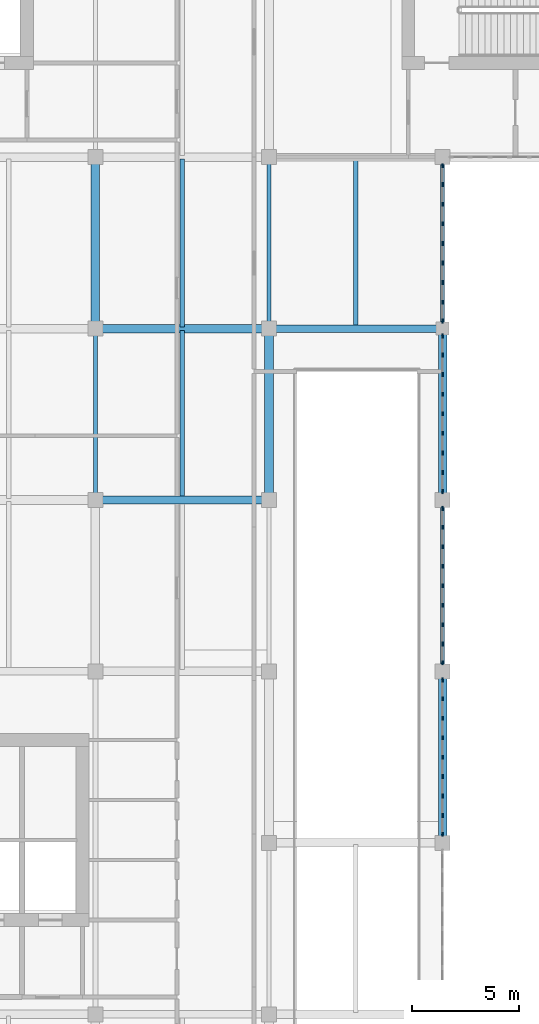
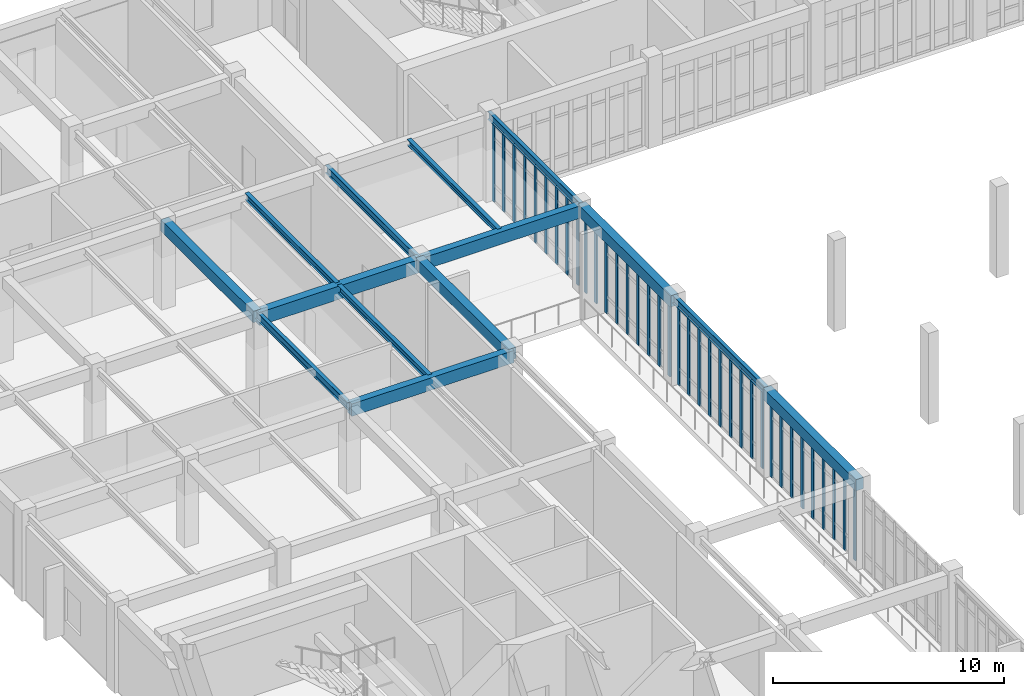
# One storey, part 12 of 61: 36 members, 14 beams, 4 elements without a shape of their own.
"""IFC4 building model written with IfcOpenShell, lengths in metres."""

from ifc_helpers import new_model, si_unit, direction, frame, origin, origin_2d, place, context, subcontext, project, spatial, rectangle, i_section, extrude, material, material_profile, profile_set, type_object, element, aggregate, save


model = new_model("IFC4")

# Units and contexts
model_context = context("Model", 3, precision=1e-05, world=origin(), true_north=direction((0.0, 1.0)))
body_context = subcontext(model_context, "Body", "Model", "MODEL_VIEW")
ifc_project = project(units=[si_unit("LENGTHUNIT", "METRE"), si_unit("AREAUNIT", "SQUARE_METRE"), si_unit("VOLUMEUNIT", "CUBIC_METRE"), si_unit("PLANEANGLEUNIT", "RADIAN"), si_unit("MASSUNIT", "GRAM", prefix="KILO")], contexts=[model_context])

# Site, building, storey
site_placement = place(None, origin())
site = spatial("IfcSite", under=ifc_project, at=site_placement, CompositionType="ELEMENT")
building_placement = place(site_placement, origin())
building = spatial("IfcBuilding", under=site, at=building_placement, Name="Tarnveldt Square Police Headquarters", CompositionType="ELEMENT")
storey_placement = place(building_placement, frame((0.0, 0.0, 5.39990234375)))
storey = spatial("IfcBuildingStorey", under=building, at=storey_placement, Name="L01", CompositionType="ELEMENT", Elevation=5.39990234375)

# Beams
ifc_material_1 = material(Name="Concrete 40 MPa", Category="concrete")
ifc_material_profile_1 = material_profile(ifc_material_1, rectangle(XDim=0.39990234375, YDim=0.60009765625, at=origin_2d()), Name="RC-B400x600")
ifc_profile_set_1 = profile_set([ifc_material_profile_1], Name="Concrete 40 MPa")
beam_type_1 = type_object("IfcBeamType", Name="BM-RC400x600", PredefinedType="BEAM", material=ifc_profile_set_1)
for number, where, z_axis, x_axis, name in (
    (1, (32.39990234375, 88.0, 4.22021484375), (0.0, 1.0, 0.0), (-1.0, 0.0, 0.0), "L02 Grid Girder Y-0601"),
    (2, (40.5, 80.0, 4.22021484375), (0.0, 1.0, 0.0), (-1.0, 0.0, 0.0), "L02 Grid Girder Y-0613"),
    (3, (48.60009765625, 64.0, 4.22021484375), (0.0, 1.0, 0.0), (-1.0, 0.0, 0.0), "L02 Grid Girder Y-0621"),
    (4, (48.60009765625, 80.0, 4.22021484375), (0.0, 1.0, 0.0), (-1.0, 0.0, 0.0), "L02 Grid Girder Y-0623"),
):
    element("IfcBeam", number, at=place(storey_placement, frame(where, z_axis=z_axis, x_axis=x_axis)), inside=storey, type_object=beam_type_1, Name=name, PredefinedType="BEAM", context=body_context, shape_type="SweptSolid", body=[
        extrude(rectangle(XDim=0.39990234375, YDim=0.60009765625, at=origin_2d()), origin(), (0.0, 0.0, 1.0), 8.0),
    ])
ifc_material_profile_2 = material_profile(ifc_material_1, rectangle(XDim=0.39990234375, YDim=0.699951171875, at=origin_2d()), Name="RC-B400x700")
ifc_profile_set_2 = profile_set([ifc_material_profile_2], Name="Concrete 40 MPa")
beam_type_2 = type_object("IfcBeamType", Name="BM-RC400x700", PredefinedType="BEAM", material=ifc_profile_set_2)
beam_1_placement = place(storey_placement, frame((32.39990234375, 88.0, 4.170166015625), z_axis=(1.0, 0.0, 0.0), x_axis=(0.0, 1.0, 0.0)))
element("IfcBeam", 5, at=beam_1_placement, inside=storey, type_object=beam_type_2, Name="L02 Grid Girder X-0531", PredefinedType="BEAM", context=body_context, shape_type="SweptSolid", body=[
    extrude(rectangle(XDim=0.39990234375, YDim=0.699951171875, at=origin_2d()), origin(), (0.0, 0.0, 1.0), 8.10009765625),
])
ifc_material_profile_3 = material_profile(ifc_material_1, rectangle(XDim=0.35009765625, YDim=0.64990234375, at=origin_2d()), Name="RC-SP350x650")
ifc_profile_set_3 = profile_set([ifc_material_profile_3], Name="Concrete 40 MPa")
beam_type_3 = type_object("IfcBeamType", Name="BM-SP350x650", PredefinedType="SPANDREL", material=ifc_profile_set_3)
for number, where, z_axis, x_axis, name in (
    (6, (32.39990234375, 80.0, 4.195068359375), (1.0, 0.0, 0.0), (0.0, 1.0, 0.0), "L02 Grid Girder X-0526"),
    (7, (40.5, 88.0, 4.195068359375), (1.0, 0.0, 0.0), (0.0, 1.0, 0.0), "L02 Grid Girder X-0532"),
):
    element("IfcBeam", number, at=place(storey_placement, frame(where, z_axis=z_axis, x_axis=x_axis)), inside=storey, type_object=beam_type_3, Name=name, PredefinedType="SPANDREL", context=body_context, shape_type="SweptSolid", body=[
        extrude(rectangle(XDim=0.35009765625, YDim=0.64990234375, at=origin_2d()), origin(), (0.0, 0.0, 1.0), 8.10009765625),
    ])
ifc_material_2 = material(Name="Steel 350W", Category="steel")
ifc_material_profile_4 = material_profile(ifc_material_2, i_section(OverallWidth=0.202880859375, OverallDepth=0.302978515625, WebThickness=0.007568359375, FlangeThickness=0.01318359375, FilletRadius=0.014892578125, at=origin_2d()), Name="W310x60")
ifc_profile_set_4 = profile_set([ifc_material_profile_4], Name="Steel 350W")
beam_type_4 = type_object("IfcBeamType", Name="BM-W310x60", PredefinedType="JOIST", material=ifc_profile_set_4)
beam_2_placement = place(storey_placement, frame((44.550048828125, 88.080078125, 4.36865234375), z_axis=(0.0, 1.0, 0.0), x_axis=(-1.0, 0.0, 0.0)))
element("IfcBeam", 8, at=beam_2_placement, inside=storey, type_object=beam_type_4, Name="L02 Secondary Floor Joist 0132", PredefinedType="JOIST", context=body_context, shape_type="SweptSolid", body=[
    extrude(i_section(OverallWidth=0.202880859375, OverallDepth=0.302978515625, WebThickness=0.007568359375, FlangeThickness=0.01318359375, FilletRadius=0.014892578125, at=origin_2d()), origin(), (0.0, 0.0, 1.0), 7.83984375),
])
ifc_material_profile_5 = material_profile(ifc_material_2, i_section(OverallWidth=0.202880859375, OverallDepth=0.346923828125, WebThickness=0.0078125, FlangeThickness=0.013427734375, FilletRadius=0.01611328125, at=origin_2d()), Name="W360x64")
ifc_profile_set_5 = profile_set([ifc_material_profile_5], Name="Steel 350W")
beam_type_5 = type_object("IfcBeamType", Name="BM-W360x64", PredefinedType="JOIST", material=ifc_profile_set_5)
for number, where, z_axis, x_axis, name in (
    (9, (36.449951171875, 80.080078125, 4.3466796875), (0.0, 1.0, 0.0), (-1.0, 0.0, 0.0), "L02 Secondary Floor Joist 0127"),
    (10, (36.449951171875, 88.080078125, 4.3466796875), (0.0, 1.0, 0.0), (-1.0, 0.0, 0.0), "L02 Secondary Floor Joist 0131"),
):
    element("IfcBeam", number, at=place(storey_placement, frame(where, z_axis=z_axis, x_axis=x_axis)), inside=storey, type_object=beam_type_5, Name=name, PredefinedType="JOIST", context=body_context, shape_type="SweptSolid", body=[
        extrude(i_section(OverallWidth=0.202880859375, OverallDepth=0.346923828125, WebThickness=0.0078125, FlangeThickness=0.013427734375, FilletRadius=0.01611328125, at=origin_2d()), origin(), (0.0, 0.0, 1.0), 7.83984375),
    ])
ifc_material_profile_6 = material_profile(ifc_material_2, i_section(OverallWidth=0.180908203125, OverallDepth=0.4169921875, WebThickness=0.010986328125, FlangeThickness=0.018310546875, FilletRadius=0.01611328125, at=origin_2d()), Name="W410x85")
ifc_profile_set_6 = profile_set([ifc_material_profile_6], Name="Steel 350W")
beam_type_6 = type_object("IfcBeamType", Name="BM-W410x85", PredefinedType="BEAM", material=ifc_profile_set_6)
for number, where, z_axis, x_axis, name in (
    (11, (32.39990234375, 80.0, 4.3115234375), (0.0, 1.0, 0.0), (-1.0, 0.0, 0.0), "L02 Grid Girder Y-0600"),
    (12, (40.5, 88.0, 4.3115234375), (0.0, 1.0, 0.0), (-1.0, 0.0, 0.0), "L02 Grid Girder Y-0614"),
    (13, (48.60009765625, 72.0, 4.3115234375), (0.0, 1.0, 0.0), (-1.0, 0.0, 0.0), "L02 Grid Girder Y-0622"),
    (14, (48.60009765625, 88.0, 4.3115234375), (0.0, 1.0, 0.0), (-1.0, 0.0, 0.0), "L02 Grid Girder Y-0624"),
):
    element("IfcBeam", number, at=place(storey_placement, frame(where, z_axis=z_axis, x_axis=x_axis)), inside=storey, type_object=beam_type_6, Name=name, PredefinedType="BEAM", context=body_context, shape_type="SweptSolid", body=[
        extrude(i_section(OverallWidth=0.180908203125, OverallDepth=0.4169921875, WebThickness=0.010986328125, FlangeThickness=0.018310546875, FilletRadius=0.01611328125, at=origin_2d()), origin(), (0.0, 0.0, 1.0), 8.0),
    ])

# Curtain wall, members
ifc_material_3 = material(Name="Triple-glazed low-e laminated vision glass", Category="glass")
curtain_wall_type_1 = type_object("IfcCurtainWallType", Name="CW-WG-727x391", PredefinedType="USERDEFINED", material=ifc_material_3)
curtain_wall_1_placement = place(storey_placement, origin())
curtain_wall_1 = element("IfcCurtainWall", 15, at=curtain_wall_1_placement, inside=storey, type_object=curtain_wall_type_1, Name="L01 Curtain Wall CW-L01-069", ObjectType="GLAZED CURTAIN WALL", PredefinedType="USERDEFINED")
ifc_material_4 = material(Name="Thermally broken anodised aluminium 6063-T6", Category="aluminium")
ifc_material_profile_7 = material_profile(ifc_material_4, rectangle(XDim=0.074951171875, YDim=0.199951171875, at=origin_2d()), Name="CW-M75x200")
ifc_profile_set_7 = profile_set([ifc_material_profile_7], Name="Thermally broken anodised aluminium 6063-T6")
member_type = type_object("IfcMemberType", Name="CWM-75x200", PredefinedType="MULLION", material=ifc_profile_set_7)
member_1_placement = place(storey_placement, frame((48.60009765625, 64.402587890625, 0.0), z_axis=(0.0, 0.0, 1.0), x_axis=(-1.0, 0.0, 0.0)))
member_1 = element("IfcMember", 16, at=member_1_placement, type_object=member_type, Name="CW-WG30 mullion 1", PredefinedType="MULLION", context=body_context, shape_type="SweptSolid", body=[
    extrude(rectangle(XDim=0.074951171875, YDim=0.199951171875, at=origin_2d()), origin(), (0.0, 0.0, 1.0), 3.912109375),
])
member_2_placement = place(storey_placement, frame((48.60009765625, 65.273681640625, 0.0), z_axis=(0.0, 0.0, 1.0), x_axis=(-1.0, 0.0, 0.0)))
member_2 = element("IfcMember", 17, at=member_2_placement, type_object=member_type, Name="CW-WG30 mullion 2", PredefinedType="MULLION", context=body_context, shape_type="SweptSolid", body=[
    extrude(rectangle(XDim=0.074951171875, YDim=0.199951171875, at=origin_2d()), origin(), (0.0, 0.0, 1.0), 3.912109375),
])
member_3_placement = place(storey_placement, frame((48.60009765625, 66.1826171875, 0.0), z_axis=(0.0, 0.0, 1.0), x_axis=(-1.0, 0.0, 0.0)))
member_3 = element("IfcMember", 18, at=member_3_placement, type_object=member_type, Name="CW-WG30 mullion 3", PredefinedType="MULLION", context=body_context, shape_type="SweptSolid", body=[
    extrude(rectangle(XDim=0.074951171875, YDim=0.199951171875, at=origin_2d()), origin(), (0.0, 0.0, 1.0), 3.912109375),
])
member_4_placement = place(storey_placement, frame((48.60009765625, 67.09130859375, 0.0), z_axis=(0.0, 0.0, 1.0), x_axis=(-1.0, 0.0, 0.0)))
member_4 = element("IfcMember", 19, at=member_4_placement, type_object=member_type, Name="CW-WG30 mullion 4", PredefinedType="MULLION", context=body_context, shape_type="SweptSolid", body=[
    extrude(rectangle(XDim=0.074951171875, YDim=0.199951171875, at=origin_2d()), origin(), (0.0, 0.0, 1.0), 3.912109375),
])
member_5_placement = place(storey_placement, frame((48.60009765625, 68.0, 0.0), z_axis=(0.0, 0.0, 1.0), x_axis=(-1.0, 0.0, 0.0)))
member_5 = element("IfcMember", 20, at=member_5_placement, type_object=member_type, Name="CW-WG30 mullion 5", PredefinedType="MULLION", context=body_context, shape_type="SweptSolid", body=[
    extrude(rectangle(XDim=0.074951171875, YDim=0.199951171875, at=origin_2d()), origin(), (0.0, 0.0, 1.0), 3.912109375),
])
member_6_placement = place(storey_placement, frame((48.60009765625, 68.90869140625, 0.0), z_axis=(0.0, 0.0, 1.0), x_axis=(-1.0, 0.0, 0.0)))
member_6 = element("IfcMember", 21, at=member_6_placement, type_object=member_type, Name="CW-WG30 mullion 6", PredefinedType="MULLION", context=body_context, shape_type="SweptSolid", body=[
    extrude(rectangle(XDim=0.074951171875, YDim=0.199951171875, at=origin_2d()), origin(), (0.0, 0.0, 1.0), 3.912109375),
])
member_7_placement = place(storey_placement, frame((48.60009765625, 69.8173828125, 0.0), z_axis=(0.0, 0.0, 1.0), x_axis=(-1.0, 0.0, 0.0)))
member_7 = element("IfcMember", 22, at=member_7_placement, type_object=member_type, Name="CW-WG30 mullion 7", PredefinedType="MULLION", context=body_context, shape_type="SweptSolid", body=[
    extrude(rectangle(XDim=0.074951171875, YDim=0.199951171875, at=origin_2d()), origin(), (0.0, 0.0, 1.0), 3.912109375),
])
member_8_placement = place(storey_placement, frame((48.60009765625, 70.726318359375, 0.0), z_axis=(0.0, 0.0, 1.0), x_axis=(-1.0, 0.0, 0.0)))
member_8 = element("IfcMember", 23, at=member_8_placement, type_object=member_type, Name="CW-WG30 mullion 8", PredefinedType="MULLION", context=body_context, shape_type="SweptSolid", body=[
    extrude(rectangle(XDim=0.074951171875, YDim=0.199951171875, at=origin_2d()), origin(), (0.0, 0.0, 1.0), 3.912109375),
])
member_9_placement = place(storey_placement, frame((48.60009765625, 71.597412109375, 0.0), z_axis=(0.0, 0.0, 1.0), x_axis=(-1.0, 0.0, 0.0)))
member_9 = element("IfcMember", 24, at=member_9_placement, type_object=member_type, Name="CW-WG30 mullion 9", PredefinedType="MULLION", context=body_context, shape_type="SweptSolid", body=[
    extrude(rectangle(XDim=0.074951171875, YDim=0.199951171875, at=origin_2d()), origin(), (0.0, 0.0, 1.0), 3.912109375),
])
aggregate(curtain_wall_1, [member_1, member_2, member_3, member_4, member_5, member_6, member_7, member_8, member_9])

curtain_wall_type_2 = type_object("IfcCurtainWallType", Name="CW-WG-727x409", PredefinedType="USERDEFINED", material=ifc_material_3)
curtain_wall_2_placement = place(storey_placement, origin())
curtain_wall_2 = element("IfcCurtainWall", 25, at=curtain_wall_2_placement, inside=storey, type_object=curtain_wall_type_2, Name="L01 Curtain Wall CW-L01-070", ObjectType="GLAZED CURTAIN WALL", PredefinedType="USERDEFINED")
member_10_placement = place(storey_placement, frame((48.60009765625, 72.402587890625, 0.0), z_axis=(0.0, 0.0, 1.0), x_axis=(-1.0, 0.0, 0.0)))
member_10 = element("IfcMember", 26, at=member_10_placement, type_object=member_type, Name="CW-WG29 mullion 1", PredefinedType="MULLION", context=body_context, shape_type="SweptSolid", body=[
    extrude(rectangle(XDim=0.074951171875, YDim=0.199951171875, at=origin_2d()), origin(), (0.0, 0.0, 1.0), 4.09521484375),
])
member_11_placement = place(storey_placement, frame((48.60009765625, 73.273681640625, 0.0), z_axis=(0.0, 0.0, 1.0), x_axis=(-1.0, 0.0, 0.0)))
member_11 = element("IfcMember", 27, at=member_11_placement, type_object=member_type, Name="CW-WG29 mullion 2", PredefinedType="MULLION", context=body_context, shape_type="SweptSolid", body=[
    extrude(rectangle(XDim=0.074951171875, YDim=0.199951171875, at=origin_2d()), origin(), (0.0, 0.0, 1.0), 4.09521484375),
])
member_12_placement = place(storey_placement, frame((48.60009765625, 74.1826171875, 0.0), z_axis=(0.0, 0.0, 1.0), x_axis=(-1.0, 0.0, 0.0)))
member_12 = element("IfcMember", 28, at=member_12_placement, type_object=member_type, Name="CW-WG29 mullion 3", PredefinedType="MULLION", context=body_context, shape_type="SweptSolid", body=[
    extrude(rectangle(XDim=0.074951171875, YDim=0.199951171875, at=origin_2d()), origin(), (0.0, 0.0, 1.0), 4.09521484375),
])
member_13_placement = place(storey_placement, frame((48.60009765625, 75.09130859375, 0.0), z_axis=(0.0, 0.0, 1.0), x_axis=(-1.0, 0.0, 0.0)))
member_13 = element("IfcMember", 29, at=member_13_placement, type_object=member_type, Name="CW-WG29 mullion 4", PredefinedType="MULLION", context=body_context, shape_type="SweptSolid", body=[
    extrude(rectangle(XDim=0.074951171875, YDim=0.199951171875, at=origin_2d()), origin(), (0.0, 0.0, 1.0), 4.09521484375),
])
member_14_placement = place(storey_placement, frame((48.60009765625, 76.0, 0.0), z_axis=(0.0, 0.0, 1.0), x_axis=(-1.0, 0.0, 0.0)))
member_14 = element("IfcMember", 30, at=member_14_placement, type_object=member_type, Name="CW-WG29 mullion 5", PredefinedType="MULLION", context=body_context, shape_type="SweptSolid", body=[
    extrude(rectangle(XDim=0.074951171875, YDim=0.199951171875, at=origin_2d()), origin(), (0.0, 0.0, 1.0), 4.09521484375),
])
member_15_placement = place(storey_placement, frame((48.60009765625, 76.90869140625, 0.0), z_axis=(0.0, 0.0, 1.0), x_axis=(-1.0, 0.0, 0.0)))
member_15 = element("IfcMember", 31, at=member_15_placement, type_object=member_type, Name="CW-WG29 mullion 6", PredefinedType="MULLION", context=body_context, shape_type="SweptSolid", body=[
    extrude(rectangle(XDim=0.074951171875, YDim=0.199951171875, at=origin_2d()), origin(), (0.0, 0.0, 1.0), 4.09521484375),
])
member_16_placement = place(storey_placement, frame((48.60009765625, 77.8173828125, 0.0), z_axis=(0.0, 0.0, 1.0), x_axis=(-1.0, 0.0, 0.0)))
member_16 = element("IfcMember", 32, at=member_16_placement, type_object=member_type, Name="CW-WG29 mullion 7", PredefinedType="MULLION", context=body_context, shape_type="SweptSolid", body=[
    extrude(rectangle(XDim=0.074951171875, YDim=0.199951171875, at=origin_2d()), origin(), (0.0, 0.0, 1.0), 4.09521484375),
])
member_17_placement = place(storey_placement, frame((48.60009765625, 78.726318359375, 0.0), z_axis=(0.0, 0.0, 1.0), x_axis=(-1.0, 0.0, 0.0)))
member_17 = element("IfcMember", 33, at=member_17_placement, type_object=member_type, Name="CW-WG29 mullion 8", PredefinedType="MULLION", context=body_context, shape_type="SweptSolid", body=[
    extrude(rectangle(XDim=0.074951171875, YDim=0.199951171875, at=origin_2d()), origin(), (0.0, 0.0, 1.0), 4.09521484375),
])
member_18_placement = place(storey_placement, frame((48.60009765625, 79.597412109375, 0.0), z_axis=(0.0, 0.0, 1.0), x_axis=(-1.0, 0.0, 0.0)))
member_18 = element("IfcMember", 34, at=member_18_placement, type_object=member_type, Name="CW-WG29 mullion 9", PredefinedType="MULLION", context=body_context, shape_type="SweptSolid", body=[
    extrude(rectangle(XDim=0.074951171875, YDim=0.199951171875, at=origin_2d()), origin(), (0.0, 0.0, 1.0), 4.09521484375),
])
aggregate(curtain_wall_2, [member_10, member_11, member_12, member_13, member_14, member_15, member_16, member_17, member_18])

curtain_wall_type_3 = type_object("IfcCurtainWallType", Name="CW-WG-732x391", PredefinedType="USERDEFINED", material=ifc_material_3)
curtain_wall_3_placement = place(storey_placement, origin())
curtain_wall_3 = element("IfcCurtainWall", 35, at=curtain_wall_3_placement, inside=storey, type_object=curtain_wall_type_3, Name="L01 Curtain Wall CW-L01-071", ObjectType="GLAZED CURTAIN WALL", PredefinedType="USERDEFINED")
member_19_placement = place(storey_placement, frame((48.60009765625, 80.402587890625, 0.0), z_axis=(0.0, 0.0, 1.0), x_axis=(-1.0, 0.0, 0.0)))
member_19 = element("IfcMember", 36, at=member_19_placement, type_object=member_type, Name="CW-WG31 mullion 1", PredefinedType="MULLION", context=body_context, shape_type="SweptSolid", body=[
    extrude(rectangle(XDim=0.074951171875, YDim=0.199951171875, at=origin_2d()), origin(), (0.0, 0.0, 1.0), 3.912109375),
])
member_20_placement = place(storey_placement, frame((48.60009765625, 81.280029296875, 0.0), z_axis=(0.0, 0.0, 1.0), x_axis=(-1.0, 0.0, 0.0)))
member_20 = element("IfcMember", 37, at=member_20_placement, type_object=member_type, Name="CW-WG31 mullion 2", PredefinedType="MULLION", context=body_context, shape_type="SweptSolid", body=[
    extrude(rectangle(XDim=0.074951171875, YDim=0.199951171875, at=origin_2d()), origin(), (0.0, 0.0, 1.0), 3.912109375),
])
member_21_placement = place(storey_placement, frame((48.60009765625, 82.195068359375, 0.0), z_axis=(0.0, 0.0, 1.0), x_axis=(-1.0, 0.0, 0.0)))
member_21 = element("IfcMember", 38, at=member_21_placement, type_object=member_type, Name="CW-WG31 mullion 3", PredefinedType="MULLION", context=body_context, shape_type="SweptSolid", body=[
    extrude(rectangle(XDim=0.074951171875, YDim=0.199951171875, at=origin_2d()), origin(), (0.0, 0.0, 1.0), 3.912109375),
])
member_22_placement = place(storey_placement, frame((48.60009765625, 83.110107421875, 0.0), z_axis=(0.0, 0.0, 1.0), x_axis=(-1.0, 0.0, 0.0)))
member_22 = element("IfcMember", 39, at=member_22_placement, type_object=member_type, Name="CW-WG31 mullion 4", PredefinedType="MULLION", context=body_context, shape_type="SweptSolid", body=[
    extrude(rectangle(XDim=0.074951171875, YDim=0.199951171875, at=origin_2d()), origin(), (0.0, 0.0, 1.0), 3.912109375),
])
member_23_placement = place(storey_placement, frame((48.60009765625, 84.02490234375, 0.0), z_axis=(0.0, 0.0, 1.0), x_axis=(-1.0, 0.0, 0.0)))
member_23 = element("IfcMember", 40, at=member_23_placement, type_object=member_type, Name="CW-WG31 mullion 5", PredefinedType="MULLION", context=body_context, shape_type="SweptSolid", body=[
    extrude(rectangle(XDim=0.074951171875, YDim=0.199951171875, at=origin_2d()), origin(), (0.0, 0.0, 1.0), 3.912109375),
])
member_24_placement = place(storey_placement, frame((48.60009765625, 84.93994140625, 0.0), z_axis=(0.0, 0.0, 1.0), x_axis=(-1.0, 0.0, 0.0)))
member_24 = element("IfcMember", 41, at=member_24_placement, type_object=member_type, Name="CW-WG31 mullion 6", PredefinedType="MULLION", context=body_context, shape_type="SweptSolid", body=[
    extrude(rectangle(XDim=0.074951171875, YDim=0.199951171875, at=origin_2d()), origin(), (0.0, 0.0, 1.0), 3.912109375),
])
member_25_placement = place(storey_placement, frame((48.60009765625, 85.85498046875, 0.0), z_axis=(0.0, 0.0, 1.0), x_axis=(-1.0, 0.0, 0.0)))
member_25 = element("IfcMember", 42, at=member_25_placement, type_object=member_type, Name="CW-WG31 mullion 7", PredefinedType="MULLION", context=body_context, shape_type="SweptSolid", body=[
    extrude(rectangle(XDim=0.074951171875, YDim=0.199951171875, at=origin_2d()), origin(), (0.0, 0.0, 1.0), 3.912109375),
])
member_26_placement = place(storey_placement, frame((48.60009765625, 86.77001953125, 0.0), z_axis=(0.0, 0.0, 1.0), x_axis=(-1.0, 0.0, 0.0)))
member_26 = element("IfcMember", 43, at=member_26_placement, type_object=member_type, Name="CW-WG31 mullion 8", PredefinedType="MULLION", context=body_context, shape_type="SweptSolid", body=[
    extrude(rectangle(XDim=0.074951171875, YDim=0.199951171875, at=origin_2d()), origin(), (0.0, 0.0, 1.0), 3.912109375),
])
member_27_placement = place(storey_placement, frame((48.60009765625, 87.6474609375, 0.0), z_axis=(0.0, 0.0, 1.0), x_axis=(-1.0, 0.0, 0.0)))
member_27 = element("IfcMember", 44, at=member_27_placement, type_object=member_type, Name="CW-WG31 mullion 9", PredefinedType="MULLION", context=body_context, shape_type="SweptSolid", body=[
    extrude(rectangle(XDim=0.074951171875, YDim=0.199951171875, at=origin_2d()), origin(), (0.0, 0.0, 1.0), 3.912109375),
])
aggregate(curtain_wall_3, [member_19, member_20, member_21, member_22, member_23, member_24, member_25, member_26, member_27])

curtain_wall_type_4 = type_object("IfcCurtainWallType", Name="CW-WG-732x409", PredefinedType="USERDEFINED", material=ifc_material_3)
curtain_wall_4_placement = place(storey_placement, origin())
curtain_wall_4 = element("IfcCurtainWall", 45, at=curtain_wall_4_placement, inside=storey, type_object=curtain_wall_type_4, Name="L01 Curtain Wall CW-L01-072", ObjectType="GLAZED CURTAIN WALL", PredefinedType="USERDEFINED")
member_28_placement = place(storey_placement, frame((48.60009765625, 88.3525390625, 0.0), z_axis=(0.0, 0.0, 1.0), x_axis=(-1.0, 0.0, 0.0)))
member_28 = element("IfcMember", 46, at=member_28_placement, type_object=member_type, Name="CW-WG32 mullion 1", PredefinedType="MULLION", context=body_context, shape_type="SweptSolid", body=[
    extrude(rectangle(XDim=0.074951171875, YDim=0.199951171875, at=origin_2d()), origin(), (0.0, 0.0, 1.0), 4.09521484375),
])
member_29_placement = place(storey_placement, frame((48.60009765625, 89.22998046875, 0.0), z_axis=(0.0, 0.0, 1.0), x_axis=(-1.0, 0.0, 0.0)))
member_29 = element("IfcMember", 47, at=member_29_placement, type_object=member_type, Name="CW-WG32 mullion 2", PredefinedType="MULLION", context=body_context, shape_type="SweptSolid", body=[
    extrude(rectangle(XDim=0.074951171875, YDim=0.199951171875, at=origin_2d()), origin(), (0.0, 0.0, 1.0), 4.09521484375),
])
member_30_placement = place(storey_placement, frame((48.60009765625, 90.14501953125, 0.0), z_axis=(0.0, 0.0, 1.0), x_axis=(-1.0, 0.0, 0.0)))
member_30 = element("IfcMember", 48, at=member_30_placement, type_object=member_type, Name="CW-WG32 mullion 3", PredefinedType="MULLION", context=body_context, shape_type="SweptSolid", body=[
    extrude(rectangle(XDim=0.074951171875, YDim=0.199951171875, at=origin_2d()), origin(), (0.0, 0.0, 1.0), 4.09521484375),
])
member_31_placement = place(storey_placement, frame((48.60009765625, 91.06005859375, 0.0), z_axis=(0.0, 0.0, 1.0), x_axis=(-1.0, 0.0, 0.0)))
member_31 = element("IfcMember", 49, at=member_31_placement, type_object=member_type, Name="CW-WG32 mullion 4", PredefinedType="MULLION", context=body_context, shape_type="SweptSolid", body=[
    extrude(rectangle(XDim=0.074951171875, YDim=0.199951171875, at=origin_2d()), origin(), (0.0, 0.0, 1.0), 4.09521484375),
])
member_32_placement = place(storey_placement, frame((48.60009765625, 91.97509765625, 0.0), z_axis=(0.0, 0.0, 1.0), x_axis=(-1.0, 0.0, 0.0)))
member_32 = element("IfcMember", 50, at=member_32_placement, type_object=member_type, Name="CW-WG32 mullion 5", PredefinedType="MULLION", context=body_context, shape_type="SweptSolid", body=[
    extrude(rectangle(XDim=0.074951171875, YDim=0.199951171875, at=origin_2d()), origin(), (0.0, 0.0, 1.0), 4.09521484375),
])
member_33_placement = place(storey_placement, frame((48.60009765625, 92.889892578125, 0.0), z_axis=(0.0, 0.0, 1.0), x_axis=(-1.0, 0.0, 0.0)))
member_33 = element("IfcMember", 51, at=member_33_placement, type_object=member_type, Name="CW-WG32 mullion 6", PredefinedType="MULLION", context=body_context, shape_type="SweptSolid", body=[
    extrude(rectangle(XDim=0.074951171875, YDim=0.199951171875, at=origin_2d()), origin(), (0.0, 0.0, 1.0), 4.09521484375),
])
member_34_placement = place(storey_placement, frame((48.60009765625, 93.804931640625, 0.0), z_axis=(0.0, 0.0, 1.0), x_axis=(-1.0, 0.0, 0.0)))
member_34 = element("IfcMember", 52, at=member_34_placement, type_object=member_type, Name="CW-WG32 mullion 7", PredefinedType="MULLION", context=body_context, shape_type="SweptSolid", body=[
    extrude(rectangle(XDim=0.074951171875, YDim=0.199951171875, at=origin_2d()), origin(), (0.0, 0.0, 1.0), 4.09521484375),
])
member_35_placement = place(storey_placement, frame((48.60009765625, 94.719970703125, 0.0), z_axis=(0.0, 0.0, 1.0), x_axis=(-1.0, 0.0, 0.0)))
member_35 = element("IfcMember", 53, at=member_35_placement, type_object=member_type, Name="CW-WG32 mullion 8", PredefinedType="MULLION", context=body_context, shape_type="SweptSolid", body=[
    extrude(rectangle(XDim=0.074951171875, YDim=0.199951171875, at=origin_2d()), origin(), (0.0, 0.0, 1.0), 4.09521484375),
])
member_36_placement = place(storey_placement, frame((48.60009765625, 95.597412109375, 0.0), z_axis=(0.0, 0.0, 1.0), x_axis=(-1.0, 0.0, 0.0)))
member_36 = element("IfcMember", 54, at=member_36_placement, type_object=member_type, Name="CW-WG32 mullion 9", PredefinedType="MULLION", context=body_context, shape_type="SweptSolid", body=[
    extrude(rectangle(XDim=0.074951171875, YDim=0.199951171875, at=origin_2d()), origin(), (0.0, 0.0, 1.0), 4.09521484375),
])
aggregate(curtain_wall_4, [member_28, member_29, member_30, member_31, member_32, member_33, member_34, member_35, member_36])

save(model, "model.ifc")
